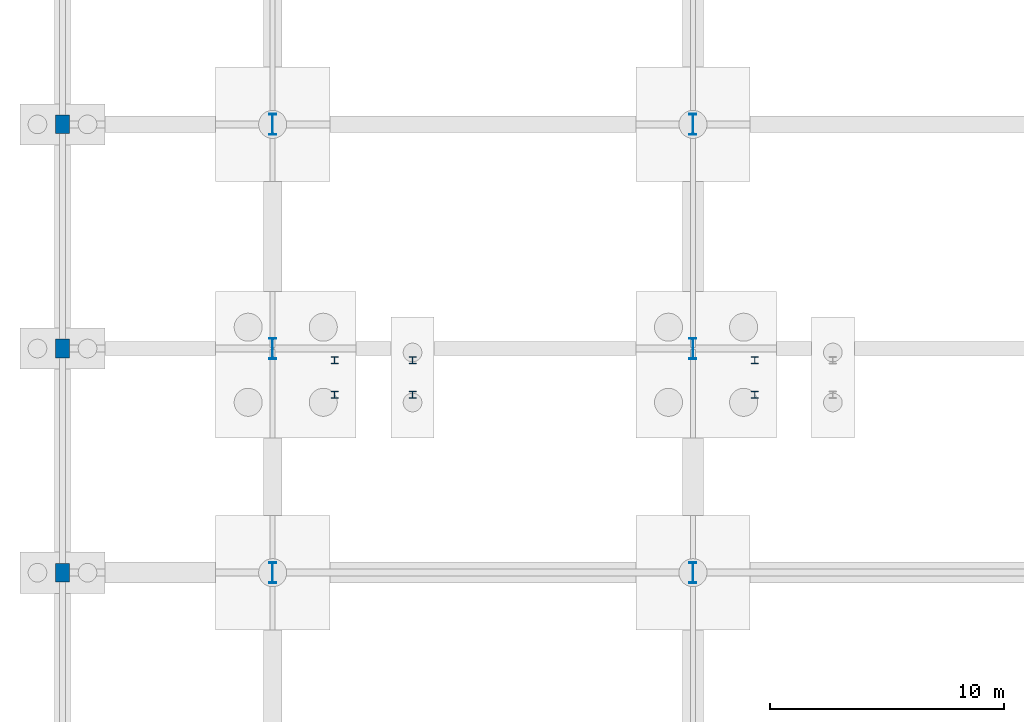
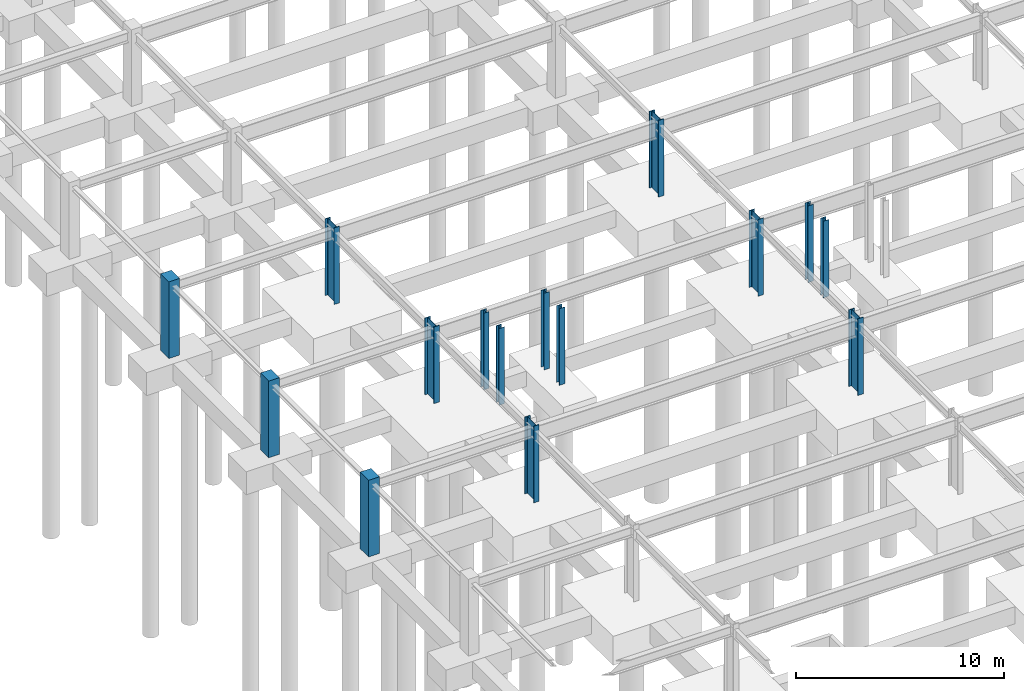
# One storey, part 16 of 59: 15 columns.
"""IFC4 building model written with IfcOpenShell, lengths in metres."""

from ifc_helpers import new_model, si_unit, direction, frame, origin, origin_2d, place, context, subcontext, project, spatial, rectangle, i_section, extrude, material, material_profile, profile_set, type_object, element, save


model = new_model("IFC4")

# Units and contexts
model_context = context("Model", 3, precision=1e-05, world=origin(), true_north=direction((0.0, 1.0)))
body_context = subcontext(model_context, "Body", "Model", "MODEL_VIEW")
ifc_project = project(units=[si_unit("LENGTHUNIT", "METRE"), si_unit("AREAUNIT", "SQUARE_METRE"), si_unit("VOLUMEUNIT", "CUBIC_METRE"), si_unit("PLANEANGLEUNIT", "RADIAN"), si_unit("MASSUNIT", "GRAM", prefix="KILO")], contexts=[model_context])

# Site, building, storey
site_placement = place(None, origin())
site = spatial("IfcSite", under=ifc_project, at=site_placement, CompositionType="ELEMENT")
building_placement = place(site_placement, origin())
building = spatial("IfcBuilding", under=site, at=building_placement, Name="Myrtia Square Station", CompositionType="ELEMENT")
storey_placement = place(building_placement, frame((0.0, 0.0, -4.5)))
storey = spatial("IfcBuildingStorey", under=building, at=storey_placement, Name="B01", CompositionType="ELEMENT", Elevation=-4.5)

# Columns
ifc_material_1 = material(Name="Steel S355", Category="steel")
ifc_material_profile_1 = material_profile(ifc_material_1, i_section(OverallWidth=0.300048828125, OverallDepth=0.300048828125, WebThickness=0.010986328125, FlangeThickness=0.01904296875, FilletRadius=0.027099609375, at=origin_2d()), Name="HEB 300")
ifc_profile_set_1 = profile_set([ifc_material_profile_1], Name="Steel S355")
column_type_1 = type_object("IfcColumnType", Name="COL-HEB300", PredefinedType="COLUMN", material=ifc_profile_set_1)
for number, where, z_axis, x_axis, name in (
    (1, (11.64990234375, 76.300048828125, 0.0), (0.0, 0.0, 1.0), (1.0, 0.0, 0.0), "Interchange stair substructure post 1-WN"),
    (2, (11.64990234375, 74.820068359375, 0.0), (0.0, 0.0, 1.0), (1.0, 0.0, 0.0), "Interchange stair substructure post 1-WS"),
    (3, (14.989990234375, 76.300048828125, 0.0), (0.0, 0.0, 1.0), (1.0, 0.0, 0.0), "Interchange stair substructure post 1-EN"),
    (4, (14.989990234375, 74.820068359375, 0.0), (0.0, 0.0, 1.0), (1.0, 0.0, 0.0), "Interchange stair substructure post 1-ES"),
    (5, (29.64990234375, 76.300048828125, 0.0), (0.0, 0.0, 1.0), (1.0, 0.0, 0.0), "Interchange stair substructure post 2-WN"),
    (6, (29.64990234375, 74.820068359375, 0.0), (0.0, 0.0, 1.0), (1.0, 0.0, 0.0), "Interchange stair substructure post 2-WS"),
):
    element("IfcColumn", number, at=place(storey_placement, frame(where, z_axis=z_axis, x_axis=x_axis)), inside=storey, type_object=column_type_1, Name=name, PredefinedType="COLUMN", context=body_context, shape_type="SweptSolid", body=[
        extrude(i_section(OverallWidth=0.300048828125, OverallDepth=0.300048828125, WebThickness=0.010986328125, FlangeThickness=0.01904296875, FilletRadius=0.027099609375, at=origin_2d()), origin(), (0.0, 0.0, 1.0), 4.5),
    ])
ifc_material_profile_2 = material_profile(ifc_material_1, i_section(OverallWidth=0.300048828125, OverallDepth=0.89990234375, WebThickness=0.0185546875, FlangeThickness=0.034912109375, FilletRadius=0.030029296875, at=origin_2d()), Name="HEB 900")
ifc_profile_set_2 = profile_set([ifc_material_profile_2], Name="Steel S355")
column_type_2 = type_object("IfcColumnType", Name="COL-HEB900", PredefinedType="COLUMN", material=ifc_profile_set_2)
for number, where, z_axis, x_axis, name in (
    (7, (9.0, 67.199951171875, 0.0), (0.0, 0.0, 1.0), (1.0, 0.0, 0.0), "Column B01-0055"),
    (8, (9.0, 76.800048828125, 0.0), (0.0, 0.0, 1.0), (1.0, 0.0, 0.0), "Column B01-0058"),
    (9, (9.0, 86.39990234375, 0.0), (0.0, 0.0, 1.0), (1.0, 0.0, 0.0), "Column B01-0061"),
    (10, (27.0, 67.199951171875, 0.0), (0.0, 0.0, 1.0), (1.0, 0.0, 0.0), "Column B01-0094"),
    (11, (27.0, 76.800048828125, 0.0), (0.0, 0.0, 1.0), (1.0, 0.0, 0.0), "Column B01-0097"),
    (12, (27.0, 86.39990234375, 0.0), (0.0, 0.0, 1.0), (1.0, 0.0, 0.0), "Column B01-0100"),
):
    element("IfcColumn", number, at=place(storey_placement, frame(where, z_axis=z_axis, x_axis=x_axis)), inside=storey, type_object=column_type_2, Name=name, PredefinedType="COLUMN", context=body_context, shape_type="SweptSolid", body=[
        extrude(i_section(OverallWidth=0.300048828125, OverallDepth=0.89990234375, WebThickness=0.0185546875, FlangeThickness=0.034912109375, FilletRadius=0.030029296875, at=origin_2d()), origin(), (0.0, 0.0, 1.0), 4.5),
    ])
ifc_material_2 = material(Name="Concrete C40/50", Category="concrete")
ifc_material_profile_3 = material_profile(ifc_material_2, rectangle(XDim=0.60009765625, YDim=0.800048828125, at=origin_2d()), Name="RC 600x800")
ifc_profile_set_3 = profile_set([ifc_material_profile_3], Name="Concrete C40/50")
column_type_3 = type_object("IfcColumnType", Name="COL-RC600x800", PredefinedType="COLUMN", material=ifc_profile_set_3)
for number, where, z_axis, x_axis, name in (
    (13, (0.0, 67.199951171875, 0.0), (0.0, 0.0, 1.0), (1.0, 0.0, 0.0), "Column B01-0019"),
    (14, (0.0, 76.800048828125, 0.0), (0.0, 0.0, 1.0), (1.0, 0.0, 0.0), "Column B01-0022"),
    (15, (0.0, 86.39990234375, 0.0), (0.0, 0.0, 1.0), (1.0, 0.0, 0.0), "Column B01-0025"),
):
    element("IfcColumn", number, at=place(storey_placement, frame(where, z_axis=z_axis, x_axis=x_axis)), inside=storey, type_object=column_type_3, Name=name, PredefinedType="COLUMN", context=body_context, shape_type="SweptSolid", body=[
        extrude(rectangle(XDim=0.60009765625, YDim=0.800048828125, at=origin_2d()), origin(), (0.0, 0.0, 1.0), 4.5),
    ])

save(model, "model.ifc")
